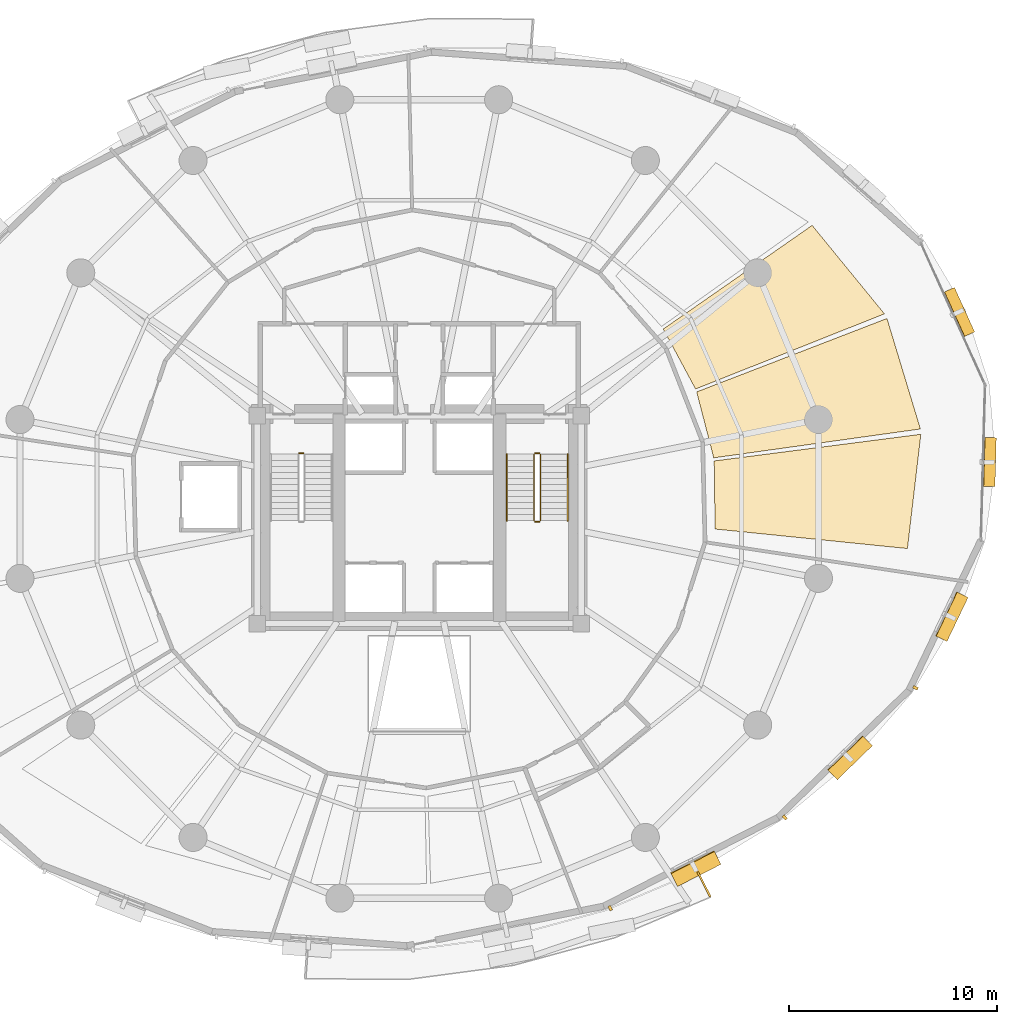
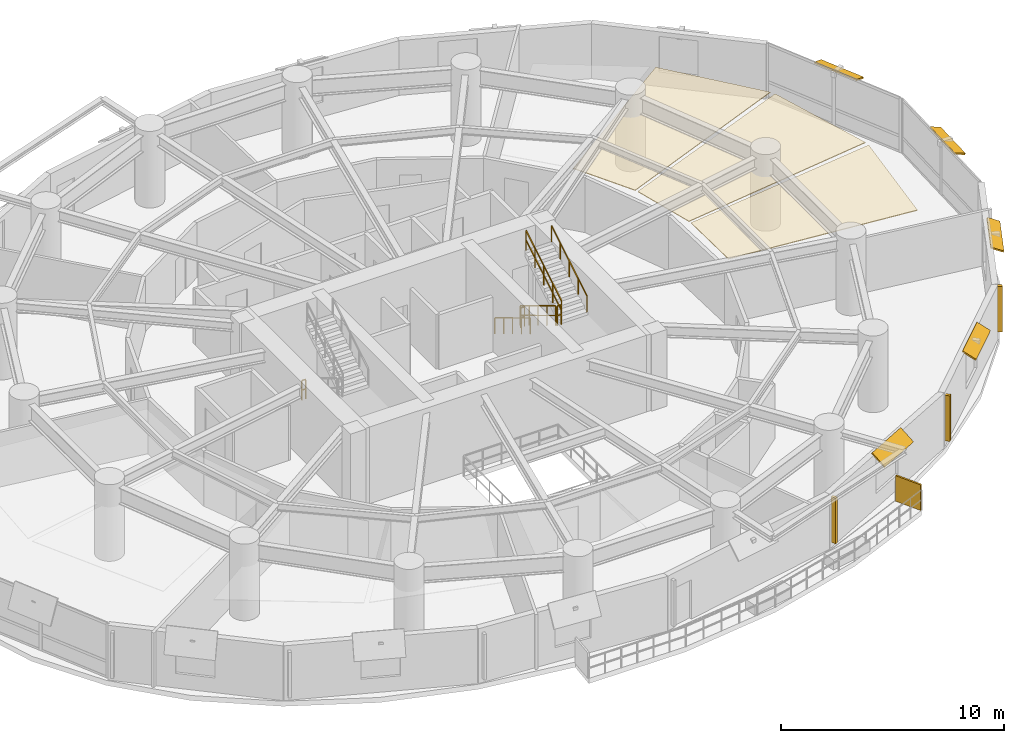
# One storey, part 16 of 17: 9 shading devices, 7 railings, 3 coverings.
"""IFC4 building model written with IfcOpenShell, lengths in metres."""

from ifc_helpers import new_model, si_unit, direction, frame, origin, origin_2d, place, context, subcontext, project, spatial, polyline, rectangle, outline, extrude, material, layer, layer_set, type_object, element, save


model = new_model("IFC4")

# Units and contexts
model_context = context("Model", 3, precision=1e-05, world=origin(), true_north=direction((0.0, 1.0)))
body_context = subcontext(model_context, "Body", "Model", "MODEL_VIEW")
ifc_project = project(units=[si_unit("LENGTHUNIT", "METRE"), si_unit("AREAUNIT", "SQUARE_METRE"), si_unit("VOLUMEUNIT", "CUBIC_METRE"), si_unit("PLANEANGLEUNIT", "RADIAN"), si_unit("MASSUNIT", "GRAM", prefix="KILO"), si_unit("THERMODYNAMICTEMPERATUREUNIT", "KELVIN"), si_unit("POWERUNIT", "WATT")], contexts=[model_context])

# Site, building, storey
site_placement = place(None, origin())
site = spatial("IfcSite", under=ifc_project, at=site_placement, CompositionType="ELEMENT")
building_placement = place(site_placement, origin())
building = spatial("IfcBuilding", under=site, at=building_placement, Name="Ocrelia Relay Tower", CompositionType="ELEMENT")
storey_placement = place(building_placement, frame((0.0, 0.0, 80.39990234375)))
storey = spatial("IfcBuildingStorey", under=building, at=storey_placement, Name="L18", CompositionType="ELEMENT", Elevation=80.39990234375)

# Coverings
ifc_material_1 = material(Name="Cleanroom metal-pan acoustic ceiling", Category="aluminium")
ifc_layer_1 = layer(ifc_material_1, 0.0400390625, Name="Cleanroom metal-pan acoustic ceiling")
ifc_layer_set_1 = layer_set([ifc_layer_1], Name="Cleanroom metal-pan acoustic ceiling")
covering_type = type_object("IfcCoveringType", Name="COV-CEIL-CLEAN", PredefinedType="CEILING", material=ifc_layer_set_1)
covering_1_placement = place(storey_placement, frame((0.0, 0.0, 2.920166015625)))
element("IfcCovering", 1, at=covering_1_placement, inside=storey, type_object=covering_type, Name="L18 Colocation Data Hall A Suspended Ceiling 1", PredefinedType="CEILING", context=body_context, shape_type="SweptSolid", body=[
    extrude(outline(polyline([(48.24658203125, 24.552978515625), (57.508056640625, 23.612060546875), (58.15380859375, 29.115478515625), (48.202392578125, 27.83203125), (48.24658203125, 24.552978515625)])), origin(), (0.0, 0.0, 1.0), 0.0400390625),
])
covering_2_placement = place(storey_placement, frame((0.0, 0.0, 2.920166015625)))
element("IfcCovering", 2, at=covering_2_placement, inside=storey, type_object=covering_type, Name="L18 Colocation Data Hall A Suspended Ceiling 2", PredefinedType="CEILING", context=body_context, shape_type="SweptSolid", body=[
    extrude(outline(polyline([(48.182373046875, 27.980712890625), (58.13232421875, 29.3701171875), (56.52294921875, 34.69091796875), (47.35986328125, 31.1552734375), (48.182373046875, 27.980712890625)])), origin(), (0.0, 0.0, 1.0), 0.0400390625),
])
covering_3_placement = place(storey_placement, frame((0.0, 0.0, 2.920166015625)))
element("IfcCovering", 3, at=covering_3_placement, inside=storey, type_object=covering_type, Name="L18 Colocation Data Hall A Suspended Ceiling 3", PredefinedType="CEILING", context=body_context, shape_type="SweptSolid", body=[
    extrude(outline(polyline([(47.30517578125, 31.294921875), (56.40087890625, 34.914306640625), (52.919921875, 39.174072265625), (45.751708984375, 34.182861328125), (47.30517578125, 31.294921875)])), origin(), (0.0, 0.0, 1.0), 0.0400390625),
])

# Railings
ifc_material_2 = material(Name="Steel S355 balustrade", Category="steel")
railing_type_1 = type_object("IfcRailingType", Name="RL-STAIR-GUARD", PredefinedType="GUARDRAIL", material=ifc_material_2)
railing_1_placement = place(storey_placement, frame((28.22998046875, 28.199951171875, 0.0)))
element("IfcRailing", 4, at=railing_1_placement, inside=storey, type_object=railing_type_1, Name="L18 ST1 stair guard 4", PredefinedType="GUARDRAIL", context=body_context, shape_type="SweptSolid", body=[
    extrude(rectangle(XDim=0.048095703125, YDim=0.048095703125, at=origin_2d()), frame((0.0, 0.0, 1.076171875), z_axis=(1.0, 0.0, 0.0), x_axis=(0.0, 1.0, 0.0)), (0.0, 0.0, 1.0), 0.199951171875),
    extrude(rectangle(XDim=0.048095703125, YDim=0.048095703125, at=origin_2d()), frame((0.0, 0.0, 0.550048828125), z_axis=(1.0, 0.0, 0.0), x_axis=(0.0, 1.0, 0.0)), (0.0, 0.0, 1.0), 0.199951171875),
    extrude(rectangle(XDim=0.0419921875, YDim=0.0419921875, at=origin_2d()), origin(), (0.0, 0.0, 1.0), 1.052001953125),
    extrude(rectangle(XDim=0.0419921875, YDim=0.0419921875, at=origin_2d()), frame((0.199951171875, 0.0, 0.0)), (0.0, 0.0, 1.0), 1.052001953125),
])
railing_2_placement = place(storey_placement, frame((39.530029296875, 28.14990234375, 0.175048828125)))
element("IfcRailing", 5, at=railing_2_placement, inside=storey, type_object=railing_type_1, Name="L18 ST2 stair guard 1", PredefinedType="GUARDRAIL", context=body_context, shape_type="SweptSolid", body=[
    extrude(rectangle(XDim=0.048095703125, YDim=0.048095703125, at=origin_2d()), frame((0.0, 0.0, 1.076171875), z_axis=(0.0, -0.856177665481, 0.516681531633), x_axis=(1.0, 0.0, 0.0)), (0.0, 0.0, 1.0), 3.725830078125),
    extrude(rectangle(XDim=0.048095703125, YDim=0.048095703125, at=origin_2d()), frame((0.0, 0.0, 0.550048828125), z_axis=(0.0, -0.856177665481, 0.516681531633), x_axis=(1.0, 0.0, 0.0)), (0.0, 0.0, 1.0), 3.725830078125),
    extrude(rectangle(XDim=0.0419921875, YDim=0.0419921875, at=origin_2d()), origin(), (0.0, 0.0, 1.0), 1.052001953125),
    extrude(rectangle(XDim=0.0419921875, YDim=0.0419921875, at=origin_2d()), frame((0.0, -0.79736328125, 0.481201171875)), (0.0, 0.0, 1.0), 1.052001953125),
    extrude(rectangle(XDim=0.0419921875, YDim=0.0419921875, at=origin_2d()), frame((0.0, -1.594970703125, 0.96240234375)), (0.0, 0.0, 1.0), 1.052001953125),
    extrude(rectangle(XDim=0.0419921875, YDim=0.0419921875, at=origin_2d()), frame((0.0, -2.392578125, 1.44384765625)), (0.0, 0.0, 1.0), 1.052001953125),
    extrude(rectangle(XDim=0.0419921875, YDim=0.0419921875, at=origin_2d()), frame((0.0, -3.18994140625, 1.925048828125)), (0.0, 0.0, 1.0), 1.052001953125),
])
railing_3_placement = place(storey_placement, frame((39.580078125, 24.909912109375, 2.10009765625)))
element("IfcRailing", 6, at=railing_3_placement, inside=storey, type_object=railing_type_1, Name="L18 ST2 stair guard 2", PredefinedType="GUARDRAIL", context=body_context, shape_type="SweptSolid", body=[
    extrude(rectangle(XDim=0.048095703125, YDim=0.048095703125, at=origin_2d()), frame((0.0, 0.0, 1.076171875), z_axis=(1.0, 0.0, 0.0), x_axis=(0.0, 1.0, 0.0)), (0.0, 0.0, 1.0), 0.199951171875),
    extrude(rectangle(XDim=0.048095703125, YDim=0.048095703125, at=origin_2d()), frame((0.0, 0.0, 0.550048828125), z_axis=(1.0, 0.0, 0.0), x_axis=(0.0, 1.0, 0.0)), (0.0, 0.0, 1.0), 0.199951171875),
    extrude(rectangle(XDim=0.0419921875, YDim=0.0419921875, at=origin_2d()), origin(), (0.0, 0.0, 1.0), 1.052001953125),
    extrude(rectangle(XDim=0.0419921875, YDim=0.0419921875, at=origin_2d()), frame((0.199951171875, 0.0, 0.0)), (0.0, 0.0, 1.0), 1.052001953125),
])
railing_4_placement = place(storey_placement, frame((39.830078125, 24.9599609375, 2.275146484375)))
element("IfcRailing", 7, at=railing_4_placement, inside=storey, type_object=railing_type_1, Name="L18 ST2 stair guard 3", PredefinedType="GUARDRAIL", context=body_context, shape_type="SweptSolid", body=[
    extrude(rectangle(XDim=0.048095703125, YDim=0.048095703125, at=origin_2d()), frame((0.0, 0.0, 1.076171875), z_axis=(0.0, 0.856177665481, 0.516681531633), x_axis=(-1.0, 0.0, 0.0)), (0.0, 0.0, 1.0), 3.725830078125),
    extrude(rectangle(XDim=0.048095703125, YDim=0.048095703125, at=origin_2d()), frame((0.0, 0.0, 0.550048828125), z_axis=(0.0, 0.856177665481, 0.516681531633), x_axis=(-1.0, 0.0, 0.0)), (0.0, 0.0, 1.0), 3.725830078125),
    extrude(rectangle(XDim=0.0419921875, YDim=0.0419921875, at=origin_2d()), origin(), (0.0, 0.0, 1.0), 1.052001953125),
    extrude(rectangle(XDim=0.0419921875, YDim=0.0419921875, at=origin_2d()), frame((0.0, 0.79736328125, 0.481201171875)), (0.0, 0.0, 1.0), 1.052001953125),
    extrude(rectangle(XDim=0.0419921875, YDim=0.0419921875, at=origin_2d()), frame((0.0, 1.594970703125, 0.96240234375)), (0.0, 0.0, 1.0), 1.052001953125),
    extrude(rectangle(XDim=0.0419921875, YDim=0.0419921875, at=origin_2d()), frame((0.0, 2.392578125, 1.44384765625)), (0.0, 0.0, 1.0), 1.052001953125),
    extrude(rectangle(XDim=0.0419921875, YDim=0.0419921875, at=origin_2d()), frame((0.0, 3.18994140625, 1.925048828125)), (0.0, 0.0, 1.0), 1.052001953125),
])
railing_5_placement = place(storey_placement, frame((39.580078125, 28.199951171875, 0.0)))
element("IfcRailing", 8, at=railing_5_placement, inside=storey, type_object=railing_type_1, Name="L18 ST2 stair guard 4", PredefinedType="GUARDRAIL", context=body_context, shape_type="SweptSolid", body=[
    extrude(rectangle(XDim=0.048095703125, YDim=0.048095703125, at=origin_2d()), frame((0.0, 0.0, 1.076171875), z_axis=(1.0, 0.0, 0.0), x_axis=(0.0, 1.0, 0.0)), (0.0, 0.0, 1.0), 0.199951171875),
    extrude(rectangle(XDim=0.048095703125, YDim=0.048095703125, at=origin_2d()), frame((0.0, 0.0, 0.550048828125), z_axis=(1.0, 0.0, 0.0), x_axis=(0.0, 1.0, 0.0)), (0.0, 0.0, 1.0), 0.199951171875),
    extrude(rectangle(XDim=0.0419921875, YDim=0.0419921875, at=origin_2d()), origin(), (0.0, 0.0, 1.0), 1.052001953125),
    extrude(rectangle(XDim=0.0419921875, YDim=0.0419921875, at=origin_2d()), frame((0.199951171875, 0.0, 0.0)), (0.0, 0.0, 1.0), 1.052001953125),
])
ifc_material_3 = material(Name="Steel S355 tubular handrail", Category="steel")
railing_type_2 = type_object("IfcRailingType", Name="RL-STAIR-HAND", PredefinedType="HANDRAIL", material=ifc_material_3)
railing_6_placement = place(storey_placement, frame((38.2099609375, 28.14990234375, 0.175048828125)))
element("IfcRailing", 9, at=railing_6_placement, inside=storey, type_object=railing_type_2, Name="L18 ST2 stair handrail 1", PredefinedType="HANDRAIL", context=body_context, shape_type="SweptSolid", body=[
    extrude(rectangle(XDim=0.048095703125, YDim=0.048095703125, at=origin_2d()), frame((0.0, 0.0, 0.8759765625), z_axis=(0.0, -0.856177665481, 0.516681531633), x_axis=(1.0, 0.0, 0.0)), (0.0, 0.0, 1.0), 3.725830078125),
    extrude(rectangle(XDim=0.0419921875, YDim=0.0419921875, at=origin_2d()), origin(), (0.0, 0.0, 1.0), 0.851806640625),
    extrude(rectangle(XDim=0.0419921875, YDim=0.0419921875, at=origin_2d()), frame((0.0, -0.79736328125, 0.481201171875)), (0.0, 0.0, 1.0), 0.851806640625),
    extrude(rectangle(XDim=0.0419921875, YDim=0.0419921875, at=origin_2d()), frame((0.0, -1.594970703125, 0.96240234375)), (0.0, 0.0, 1.0), 0.851806640625),
    extrude(rectangle(XDim=0.0419921875, YDim=0.0419921875, at=origin_2d()), frame((0.0, -2.392578125, 1.44384765625)), (0.0, 0.0, 1.0), 0.851806640625),
    extrude(rectangle(XDim=0.0419921875, YDim=0.0419921875, at=origin_2d()), frame((0.0, -3.18994140625, 1.925048828125)), (0.0, 0.0, 1.0), 0.851806640625),
])
railing_7_placement = place(storey_placement, frame((41.14990234375, 24.9599609375, 2.275146484375)))
element("IfcRailing", 10, at=railing_7_placement, inside=storey, type_object=railing_type_2, Name="L18 ST2 stair handrail 2", PredefinedType="HANDRAIL", context=body_context, shape_type="SweptSolid", body=[
    extrude(rectangle(XDim=0.048095703125, YDim=0.048095703125, at=origin_2d()), frame((0.0, 0.0, 0.8759765625), z_axis=(0.0, 0.856177665481, 0.516681531633), x_axis=(-1.0, 0.0, 0.0)), (0.0, 0.0, 1.0), 3.725830078125),
    extrude(rectangle(XDim=0.0419921875, YDim=0.0419921875, at=origin_2d()), origin(), (0.0, 0.0, 1.0), 0.851806640625),
    extrude(rectangle(XDim=0.0419921875, YDim=0.0419921875, at=origin_2d()), frame((0.0, 0.79736328125, 0.481201171875)), (0.0, 0.0, 1.0), 0.851806640625),
    extrude(rectangle(XDim=0.0419921875, YDim=0.0419921875, at=origin_2d()), frame((0.0, 1.594970703125, 0.96240234375)), (0.0, 0.0, 1.0), 0.851806640625),
    extrude(rectangle(XDim=0.0419921875, YDim=0.0419921875, at=origin_2d()), frame((0.0, 2.392578125, 1.44384765625)), (0.0, 0.0, 1.0), 0.851806640625),
    extrude(rectangle(XDim=0.0419921875, YDim=0.0419921875, at=origin_2d()), frame((0.0, 3.18994140625, 1.925048828125)), (0.0, 0.0, 1.0), 0.851806640625),
])

# Shading devices
ifc_material_4 = material(Name="Perforated oxide terracotta solar screen", Category="masonry")
ifc_layer_2 = layer(ifc_material_4, 0.090087890625, Name="Perforated oxide terracotta solar screen")
ifc_layer_set_2 = layer_set([ifc_layer_2], Name="Perforated oxide terracotta solar screen")
shading_device_type_1 = type_object("IfcShadingDeviceType", Name="SH-BALC-SCREEN", PredefinedType="USERDEFINED", material=ifc_layer_set_2)
shading_device_1_placement = place(storey_placement, frame((47.711669921875, 7.44091796875, 0.000244140625), z_axis=(0.0, 0.0, 1.0), x_axis=(0.454975761825, -0.890503821526, 0.0)))
element("IfcShadingDevice", 11, at=shading_device_1_placement, inside=storey, type_object=shading_device_type_1, Name="L18 Balcony Perforated Terracotta Screen B2-2", ObjectType="SCREEN", PredefinedType="USERDEFINED", context=body_context, shape_type="SweptSolid", body=[
    extrude(rectangle(XDim=1.340087890625, YDim=0.090087890625, at=origin_2d()), origin(), (0.0, 0.0, 1.0), 1.39990234375),
])
ifc_material_5 = material(Name="Extruded oxide terracotta vertical baguette", Category="masonry")
shading_device_type_2 = type_object("IfcShadingDeviceType", Name="SH-TERR-BAGUETTE", PredefinedType="USERDEFINED", material=ifc_material_5)
for number, where, z_axis, x_axis, name in (
    (12, (43.196533203125, 6.29541015625, 0.25), (0.0, 0.0, 1.0), (0.891148286272, 0.453712168533, 0.0), "L18 Oxide Terracotta Vertical Baguette 15"),
    (13, (51.604248046875, 10.6669921875, 0.25), (0.0, 0.0, 1.0), (0.717671796317, 0.696381499447, 0.0), "L18 Oxide Terracotta Vertical Baguette 16"),
    (14, (57.893310546875, 16.9052734375, 0.25), (0.0, 0.0, 1.0), (0.432075612139, 0.90183738301, 0.0), "L18 Oxide Terracotta Vertical Baguette 17"),
):
    element("IfcShadingDevice", number, at=place(storey_placement, frame(where, z_axis=z_axis, x_axis=x_axis)), inside=storey, type_object=shading_device_type_2, Name=name, ObjectType="BAGUETTE", PredefinedType="USERDEFINED", context=body_context, shape_type="SweptSolid", body=[
        extrude(rectangle(XDim=0.139892578125, YDim=0.239990234375, at=origin_2d()), origin(), (0.0, 0.0, 1.0), 2.5),
    ])
ifc_material_6 = material(Name="Extruded oxide terracotta fin", Category="masonry")
ifc_layer_3 = layer(ifc_material_6, 0.080078125, Name="Extruded oxide terracotta fin")
ifc_layer_set_3 = layer_set([ifc_layer_3], Name="Extruded oxide terracotta fin")
shading_device_type_3 = type_object("IfcShadingDeviceType", Name="SH-VISOR-FIN-MED", PredefinedType="USERDEFINED", material=ifc_layer_set_3)
shading_device_2_placement = place(storey_placement, frame((47.305419921875, 8.22705078125, 2.80810546875), z_axis=(0.273619641182, -0.537423704367, 0.797689196331), x_axis=(0.891148286272, 0.453712168533, 0.0)))
element("IfcShadingDevice", 15, at=shading_device_2_placement, inside=storey, type_object=shading_device_type_3, Name="L18 Canted Terracotta Sun-Visor Fin 15", ObjectType="FIN", PredefinedType="USERDEFINED", context=body_context, shape_type="SweptSolid", body=[
    extrude(rectangle(XDim=2.35009765625, YDim=0.867919921875, at=origin_2d()), origin(), (0.0, 0.0, 1.0), 0.080078125),
])
ifc_layer_4 = layer(ifc_material_6, 0.080078125, Name="Extruded oxide terracotta fin")
ifc_layer_set_4 = layer_set([ifc_layer_4], Name="Extruded oxide terracotta fin")
shading_device_type_4 = type_object("IfcShadingDeviceType", Name="SH-VISOR-FIN-SHAL", PredefinedType="USERDEFINED", material=ifc_layer_set_4)
shading_device_3_placement = place(storey_placement, frame((59.995849609375, 34.99755859375, 2.802001953125), z_axis=(0.283470460322, 0.128350316064, 0.950352931542), x_axis=(-0.41247110864, 0.910970682589, 0.0)))
element("IfcShadingDevice", 16, at=shading_device_3_placement, inside=storey, type_object=shading_device_type_4, Name="L18 Canted Terracotta Sun-Visor Fin 01", ObjectType="FIN", PredefinedType="USERDEFINED", context=body_context, shape_type="SweptSolid", body=[
    extrude(rectangle(XDim=2.35009765625, YDim=0.552001953125, at=origin_2d()), origin(), (0.0, 0.0, 1.0), 0.080078125),
])
shading_device_4_placement = place(storey_placement, frame((54.724853515625, 13.55322265625, 2.804931640625), z_axis=(0.333138710765, -0.343323676989, 0.878150016915), x_axis=(0.717671796317, 0.696381499447, 0.0)))
element("IfcShadingDevice", 17, at=shading_device_4_placement, inside=storey, type_object=shading_device_type_4, Name="L18 Canted Terracotta Sun-Visor Fin 16", ObjectType="FIN", PredefinedType="USERDEFINED", context=body_context, shape_type="SweptSolid", body=[
    extrude(rectangle(XDim=2.35009765625, YDim=0.72607421875, at=origin_2d()), origin(), (0.0, 0.0, 1.0), 0.080078125),
])
shading_device_5_placement = place(storey_placement, frame((59.6298828125, 20.33935546875, 2.80322265625), z_axis=(0.351651365518, -0.168478244391, 0.920845480141), x_axis=(0.432075612139, 0.90183738301, 0.0)))
element("IfcShadingDevice", 18, at=shading_device_5_placement, inside=storey, type_object=shading_device_type_4, Name="L18 Canted Terracotta Sun-Visor Fin 17", ObjectType="FIN", PredefinedType="USERDEFINED", context=body_context, shape_type="SweptSolid", body=[
    extrude(rectangle(XDim=2.35009765625, YDim=0.632080078125, at=origin_2d()), origin(), (0.0, 0.0, 1.0), 0.080078125),
])
shading_device_6_placement = place(storey_placement, frame((61.457275390625, 27.77978515625, 2.802490234375), z_axis=(0.335984606968, -0.009149687198, 0.941823033858), x_axis=(0.027222367212, 0.999629402691, 0.0)))
element("IfcShadingDevice", 19, at=shading_device_6_placement, inside=storey, type_object=shading_device_type_4, Name="L18 Canted Terracotta Sun-Visor Fin 18", ObjectType="FIN", PredefinedType="USERDEFINED", context=body_context, shape_type="SweptSolid", body=[
    extrude(rectangle(XDim=2.35009765625, YDim=0.576904296875, at=origin_2d()), origin(), (0.0, 0.0, 1.0), 0.080078125),
])

save(model, "model.ifc")
